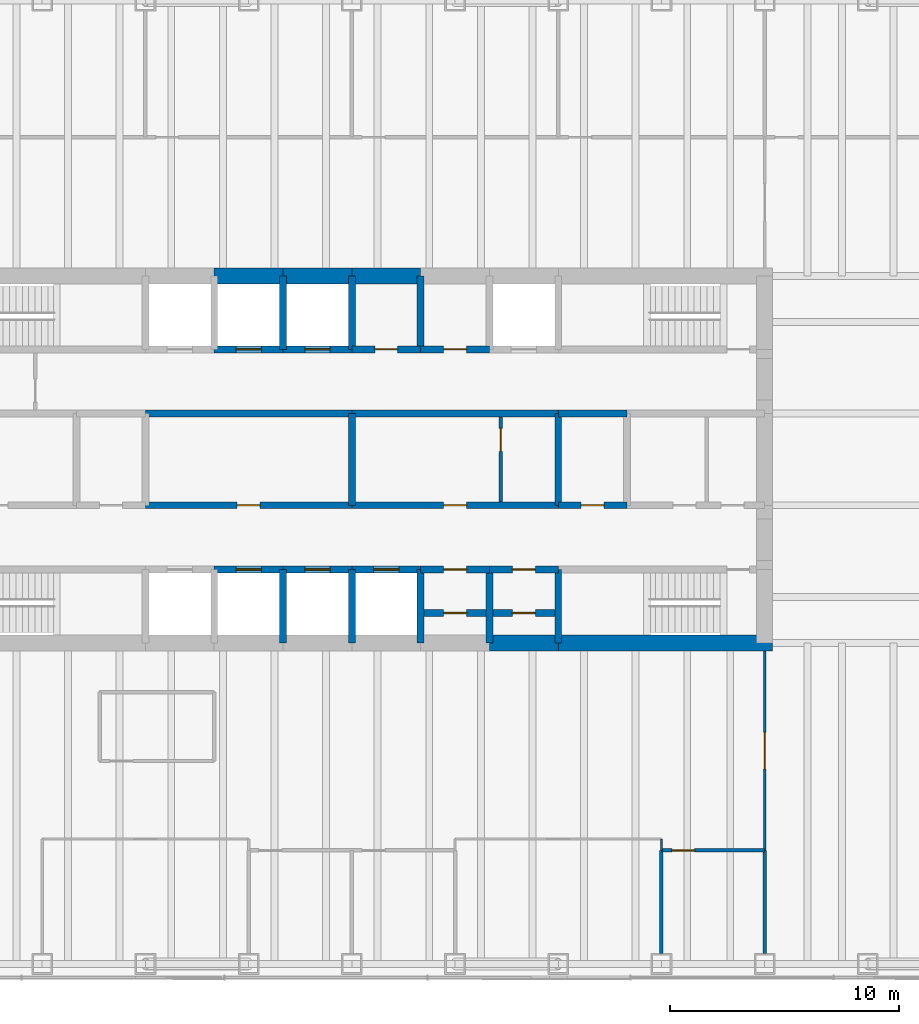
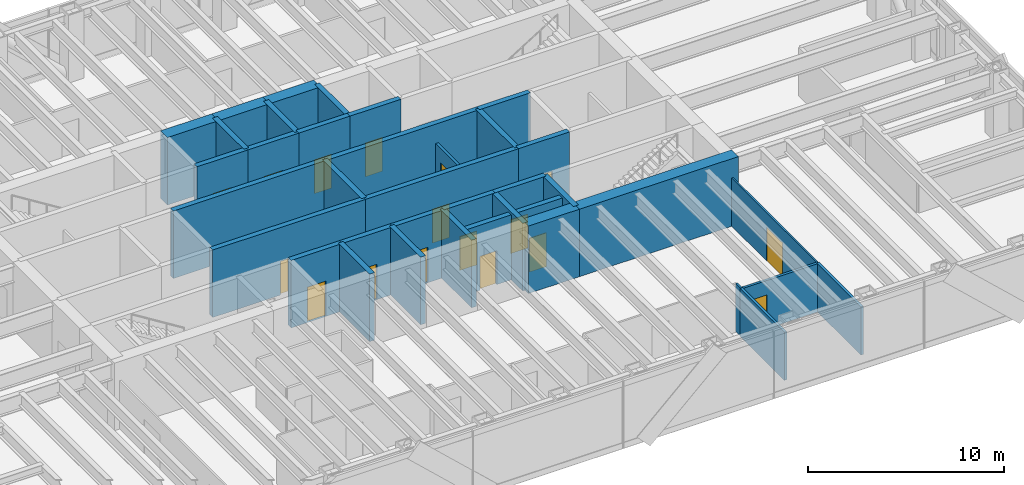
# One storey, part 12 of 15: 38 walls, 17 doors, 17 openings.
"""IFC4 building model written with IfcOpenShell, lengths in metres."""

from ifc_helpers import new_model, si_unit, direction, frame, frame_2d, origin, place, context, subcontext, project, spatial, rectangle, extrude, material, layer, layer_set, type_object, element, fill, save


model = new_model("IFC4")

# Units and contexts
model_context = context("Model", 3, precision=1e-05, world=origin(), true_north=direction((0.0, 1.0)))
body_context = subcontext(model_context, "Body", "Model", "MODEL_VIEW")
ifc_project = project(units=[si_unit("LENGTHUNIT", "METRE"), si_unit("AREAUNIT", "SQUARE_METRE"), si_unit("VOLUMEUNIT", "CUBIC_METRE"), si_unit("PLANEANGLEUNIT", "RADIAN"), si_unit("MASSUNIT", "GRAM", prefix="KILO")], contexts=[model_context])

# Site, building, storey
site_placement = place(None, origin())
site = spatial("IfcSite", under=ifc_project, at=site_placement, CompositionType="ELEMENT")
building_placement = place(site_placement, origin())
building = spatial("IfcBuilding", under=site, at=building_placement, Name="Rheinbord Bourse Tower", CompositionType="ELEMENT")
storey_placement = place(building_placement, frame((0.0, 0.0, 279.5)))
storey = spatial("IfcBuildingStorey", under=building, at=storey_placement, Name="L63", CompositionType="ELEMENT", Elevation=279.5)

# Wall, opening, door
ifc_material_1 = material(Name="Concrete C50/60", Category="concrete")
ifc_layer_1 = layer(ifc_material_1, 0.300048828125)
ifc_layer_set_1 = layer_set([ifc_layer_1], Name="CORE INNER WALL 300")
wall_type_1 = type_object("IfcWallType", Name="CORE INNER WALL 300", PredefinedType="SOLIDWALL", material=ifc_layer_set_1)
wall_1_placement = place(storey_placement, frame((30.0, 19.199951171875, 0.0), z_axis=(0.0, 0.0, 1.0), x_axis=(1.0, 0.0, 0.0)))
wall_1 = element("IfcWall", 1, at=wall_1_placement, inside=storey, type_object=wall_type_1, Name="Core wall A3 L63", PredefinedType="SOLIDWALL", context=body_context, shape_type="SweptSolid", body=[
    extrude(rectangle(XDim=3.0, YDim=0.300048828125, at=frame_2d((1.5, 0.0))), origin(), (0.0, 0.0, 1.0), 4.199951171875),
])
opening_1_placement = place(wall_1_placement, frame((0.949951171875, 0.0, 0.0)))
opening_1 = element("IfcOpeningElement", 2, at=opening_1_placement, cuts=wall_1, Name="Opening PD1", PredefinedType="OPENING", context=body_context, shape_type="SweptSolid", body=[
    extrude(rectangle(XDim=1.10009765625, YDim=2.199951171875, at=frame_2d((0.550048828125, 1.10009765625))), frame((0.0, 0.159912109375, 0.0), z_axis=(0.0, -1.0, 0.0), x_axis=(1.0, 0.0, 0.0)), (0.0, 0.0, 1.0), 0.320068359375),
])
ifc_material_2 = material(Name="Steel landing door", Category="steel")
door_type_1 = type_object("IfcDoorType", Name="LIFT LANDING DOOR 1100", OperationType="DOUBLE_DOOR_SLIDING", PredefinedType="USERDEFINED", material=ifc_material_2)
door_1_placement = place(opening_1_placement, origin())
door_1 = element("IfcDoor", 3, at=door_1_placement, inside=storey, type_object=door_type_1, Name="Lift landing door PD1 L63", ObjectType="LIFT LANDING DOOR", OperationType="DOUBLE_DOOR_SLIDING", OverallHeight=2.199951171875, OverallWidth=1.10009765625, PredefinedType="USERDEFINED", context=body_context, shape_type="SweptSolid", body=[
    extrude(rectangle(XDim=1.10009765625, YDim=2.199951171875, at=frame_2d((0.550048828125, 1.10009765625))), frame((0.0, 0.02490234375, 0.0), z_axis=(0.0, -1.0, 0.0), x_axis=(1.0, 0.0, 0.0)), (0.0, 0.0, 1.0), 0.050048828125),
])
fill(opening_1, door_1)

wall_2_placement = place(storey_placement, frame((33.0, 19.199951171875, 0.0), z_axis=(0.0, 0.0, 1.0), x_axis=(1.0, 0.0, 0.0)))
wall_2 = element("IfcWall", 4, at=wall_2_placement, inside=storey, type_object=wall_type_1, Name="Core wall A4 L63", PredefinedType="SOLIDWALL", context=body_context, shape_type="SweptSolid", body=[
    extrude(rectangle(XDim=3.0, YDim=0.300048828125, at=frame_2d((1.5, 0.0))), origin(), (0.0, 0.0, 1.0), 4.199951171875),
])
opening_2_placement = place(wall_2_placement, frame((0.949951171875, 0.0, 0.0)))
opening_2 = element("IfcOpeningElement", 5, at=opening_2_placement, cuts=wall_2, Name="Opening PD2", PredefinedType="OPENING", context=body_context, shape_type="SweptSolid", body=[
    extrude(rectangle(XDim=1.10009765625, YDim=2.199951171875, at=frame_2d((0.550048828125, 1.10009765625))), frame((0.0, 0.159912109375, 0.0), z_axis=(0.0, -1.0, 0.0), x_axis=(1.0, 0.0, 0.0)), (0.0, 0.0, 1.0), 0.320068359375),
])
door_2_placement = place(opening_2_placement, origin())
door_2 = element("IfcDoor", 6, at=door_2_placement, inside=storey, type_object=door_type_1, Name="Lift landing door PD2 L63", ObjectType="LIFT LANDING DOOR", OperationType="DOUBLE_DOOR_SLIDING", OverallHeight=2.199951171875, OverallWidth=1.10009765625, PredefinedType="USERDEFINED", context=body_context, shape_type="SweptSolid", body=[
    extrude(rectangle(XDim=1.10009765625, YDim=2.199951171875, at=frame_2d((0.550048828125, 1.10009765625))), frame((0.0, 0.02490234375, 0.0), z_axis=(0.0, -1.0, 0.0), x_axis=(1.0, 0.0, 0.0)), (0.0, 0.0, 1.0), 0.050048828125),
])
fill(opening_2, door_2)

wall_3_placement = place(storey_placement, frame((36.0, 19.199951171875, 0.0), z_axis=(0.0, 0.0, 1.0), x_axis=(1.0, 0.0, 0.0)))
wall_3 = element("IfcWall", 7, at=wall_3_placement, inside=storey, type_object=wall_type_1, Name="Core wall A5 L63", PredefinedType="SOLIDWALL", context=body_context, shape_type="SweptSolid", body=[
    extrude(rectangle(XDim=3.0, YDim=0.300048828125, at=frame_2d((1.5, 0.0))), origin(), (0.0, 0.0, 1.0), 4.199951171875),
])
opening_3_placement = place(wall_3_placement, frame((0.949951171875, 0.0, 0.0)))
opening_3 = element("IfcOpeningElement", 8, at=opening_3_placement, cuts=wall_3, Name="Opening PD3", PredefinedType="OPENING", context=body_context, shape_type="SweptSolid", body=[
    extrude(rectangle(XDim=1.10009765625, YDim=2.199951171875, at=frame_2d((0.550048828125, 1.10009765625))), frame((0.0, 0.159912109375, 0.0), z_axis=(0.0, -1.0, 0.0), x_axis=(1.0, 0.0, 0.0)), (0.0, 0.0, 1.0), 0.320068359375),
])
door_3_placement = place(opening_3_placement, origin())
door_3 = element("IfcDoor", 9, at=door_3_placement, inside=storey, type_object=door_type_1, Name="Lift landing door PD3 L63", ObjectType="LIFT LANDING DOOR", OperationType="DOUBLE_DOOR_SLIDING", OverallHeight=2.199951171875, OverallWidth=1.10009765625, PredefinedType="USERDEFINED", context=body_context, shape_type="SweptSolid", body=[
    extrude(rectangle(XDim=1.10009765625, YDim=2.199951171875, at=frame_2d((0.550048828125, 1.10009765625))), frame((0.0, 0.02490234375, 0.0), z_axis=(0.0, -1.0, 0.0), x_axis=(1.0, 0.0, 0.0)), (0.0, 0.0, 1.0), 0.050048828125),
])
fill(opening_3, door_3)

wall_4_placement = place(storey_placement, frame((39.0, 19.199951171875, 0.0), z_axis=(0.0, 0.0, 1.0), x_axis=(1.0, 0.0, 0.0)))
wall_4 = element("IfcWall", 10, at=wall_4_placement, inside=storey, type_object=wall_type_1, Name="Core wall A6 L63", PredefinedType="SOLIDWALL", context=body_context, shape_type="SweptSolid", body=[
    extrude(rectangle(XDim=3.0, YDim=0.300048828125, at=frame_2d((1.5, 0.0))), origin(), (0.0, 0.0, 1.0), 4.199951171875),
])
opening_4_placement = place(wall_4_placement, frame((1.0, 0.0, 0.0)))
opening_4 = element("IfcOpeningElement", 11, at=opening_4_placement, cuts=wall_4, Name="Opening 63R8", PredefinedType="OPENING", context=body_context, shape_type="SweptSolid", body=[
    extrude(rectangle(XDim=1.0, YDim=2.10009765625, at=frame_2d((0.5, 1.050048828125))), frame((0.0, 0.159912109375, 0.0), z_axis=(0.0, -1.0, 0.0), x_axis=(1.0, 0.0, 0.0)), (0.0, 0.0, 1.0), 0.320068359375),
])
ifc_material_3 = material(Name="Steel door", Category="steel")
door_type_2 = type_object("IfcDoorType", Name="DOOR 1000 EI30", OperationType="SINGLE_SWING_LEFT", PredefinedType="DOOR", material=ifc_material_3)
door_4_placement = place(opening_4_placement, origin())
door_4 = element("IfcDoor", 12, at=door_4_placement, inside=storey, type_object=door_type_2, Name="IT room door L63", OperationType="SINGLE_SWING_LEFT", OverallHeight=2.10009765625, OverallWidth=1.0, PredefinedType="DOOR", context=body_context, shape_type="SweptSolid", body=[
    extrude(rectangle(XDim=1.0, YDim=2.10009765625, at=frame_2d((0.5, 1.050048828125))), frame((0.0, 0.02490234375, 0.0), z_axis=(0.0, -1.0, 0.0), x_axis=(1.0, 0.0, 0.0)), (0.0, 0.0, 1.0), 0.050048828125),
])
fill(opening_4, door_4)

wall_5_placement = place(storey_placement, frame((42.0, 19.199951171875, 0.0), z_axis=(0.0, 0.0, 1.0), x_axis=(1.0, 0.0, 0.0)))
wall_5 = element("IfcWall", 13, at=wall_5_placement, inside=storey, type_object=wall_type_1, Name="Core wall A7 L63", PredefinedType="SOLIDWALL", context=body_context, shape_type="SweptSolid", body=[
    extrude(rectangle(XDim=3.0, YDim=0.300048828125, at=frame_2d((1.5, 0.0))), origin(), (0.0, 0.0, 1.0), 4.199951171875),
])
opening_5_placement = place(wall_5_placement, frame((1.0, 0.0, 0.0)))
opening_5 = element("IfcOpeningElement", 14, at=opening_5_placement, cuts=wall_5, Name="Opening 63R9", PredefinedType="OPENING", context=body_context, shape_type="SweptSolid", body=[
    extrude(rectangle(XDim=1.0, YDim=2.10009765625, at=frame_2d((0.5, 1.050048828125))), frame((0.0, 0.159912109375, 0.0), z_axis=(0.0, -1.0, 0.0), x_axis=(1.0, 0.0, 0.0)), (0.0, 0.0, 1.0), 0.320068359375),
])
door_5_placement = place(opening_5_placement, origin())
door_5 = element("IfcDoor", 15, at=door_5_placement, inside=storey, type_object=door_type_2, Name="Store door L63", OperationType="SINGLE_SWING_LEFT", OverallHeight=2.10009765625, OverallWidth=1.0, PredefinedType="DOOR", context=body_context, shape_type="SweptSolid", body=[
    extrude(rectangle(XDim=1.0, YDim=2.10009765625, at=frame_2d((0.5, 1.050048828125))), frame((0.0, 0.02490234375, 0.0), z_axis=(0.0, -1.0, 0.0), x_axis=(1.0, 0.0, 0.0)), (0.0, 0.0, 1.0), 0.050048828125),
])
fill(opening_5, door_5)

wall_6_placement = place(storey_placement, frame((30.0, 28.800048828125, 0.0), z_axis=(0.0, 0.0, 1.0), x_axis=(1.0, 0.0, 0.0)))
wall_6 = element("IfcWall", 16, at=wall_6_placement, inside=storey, type_object=wall_type_1, Name="Core wall B3 L63", PredefinedType="SOLIDWALL", context=body_context, shape_type="SweptSolid", body=[
    extrude(rectangle(XDim=3.0, YDim=0.300048828125, at=frame_2d((1.5, 0.0))), origin(), (0.0, 0.0, 1.0), 4.199951171875),
])
opening_6_placement = place(wall_6_placement, frame((0.949951171875, 0.0, 0.0)))
opening_6 = element("IfcOpeningElement", 17, at=opening_6_placement, cuts=wall_6, Name="Opening PD4", PredefinedType="OPENING", context=body_context, shape_type="SweptSolid", body=[
    extrude(rectangle(XDim=1.10009765625, YDim=2.199951171875, at=frame_2d((0.550048828125, 1.10009765625))), frame((0.0, 0.159912109375, 0.0), z_axis=(0.0, -1.0, 0.0), x_axis=(1.0, 0.0, 0.0)), (0.0, 0.0, 1.0), 0.320068359375),
])
door_6_placement = place(opening_6_placement, origin())
door_6 = element("IfcDoor", 18, at=door_6_placement, inside=storey, type_object=door_type_1, Name="Lift landing door PD4 L63", ObjectType="LIFT LANDING DOOR", OperationType="DOUBLE_DOOR_SLIDING", OverallHeight=2.199951171875, OverallWidth=1.10009765625, PredefinedType="USERDEFINED", context=body_context, shape_type="SweptSolid", body=[
    extrude(rectangle(XDim=1.10009765625, YDim=2.199951171875, at=frame_2d((0.550048828125, 1.10009765625))), frame((0.0, 0.02490234375, 0.0), z_axis=(0.0, -1.0, 0.0), x_axis=(1.0, 0.0, 0.0)), (0.0, 0.0, 1.0), 0.050048828125),
])
fill(opening_6, door_6)

wall_7_placement = place(storey_placement, frame((33.0, 28.800048828125, 0.0), z_axis=(0.0, 0.0, 1.0), x_axis=(1.0, 0.0, 0.0)))
wall_7 = element("IfcWall", 19, at=wall_7_placement, inside=storey, type_object=wall_type_1, Name="Core wall B4 L63", PredefinedType="SOLIDWALL", context=body_context, shape_type="SweptSolid", body=[
    extrude(rectangle(XDim=3.0, YDim=0.300048828125, at=frame_2d((1.5, 0.0))), origin(), (0.0, 0.0, 1.0), 4.199951171875),
])
opening_7_placement = place(wall_7_placement, frame((0.949951171875, 0.0, 0.0)))
opening_7 = element("IfcOpeningElement", 20, at=opening_7_placement, cuts=wall_7, Name="Opening PD5", PredefinedType="OPENING", context=body_context, shape_type="SweptSolid", body=[
    extrude(rectangle(XDim=1.10009765625, YDim=2.199951171875, at=frame_2d((0.550048828125, 1.10009765625))), frame((0.0, 0.159912109375, 0.0), z_axis=(0.0, -1.0, 0.0), x_axis=(1.0, 0.0, 0.0)), (0.0, 0.0, 1.0), 0.320068359375),
])
door_7_placement = place(opening_7_placement, origin())
door_7 = element("IfcDoor", 21, at=door_7_placement, inside=storey, type_object=door_type_1, Name="Lift landing door PD5 L63", ObjectType="LIFT LANDING DOOR", OperationType="DOUBLE_DOOR_SLIDING", OverallHeight=2.199951171875, OverallWidth=1.10009765625, PredefinedType="USERDEFINED", context=body_context, shape_type="SweptSolid", body=[
    extrude(rectangle(XDim=1.10009765625, YDim=2.199951171875, at=frame_2d((0.550048828125, 1.10009765625))), frame((0.0, 0.02490234375, 0.0), z_axis=(0.0, -1.0, 0.0), x_axis=(1.0, 0.0, 0.0)), (0.0, 0.0, 1.0), 0.050048828125),
])
fill(opening_7, door_7)

wall_8_placement = place(storey_placement, frame((36.0, 28.800048828125, 0.0), z_axis=(0.0, 0.0, 1.0), x_axis=(1.0, 0.0, 0.0)))
wall_8 = element("IfcWall", 22, at=wall_8_placement, inside=storey, type_object=wall_type_1, Name="Core wall B5 L63", PredefinedType="SOLIDWALL", context=body_context, shape_type="SweptSolid", body=[
    extrude(rectangle(XDim=3.0, YDim=0.300048828125, at=frame_2d((1.5, 0.0))), origin(), (0.0, 0.0, 1.0), 4.199951171875),
])
opening_8_placement = place(wall_8_placement, frame((1.0, 0.0, 0.0)))
opening_8 = element("IfcOpeningElement", 23, at=opening_8_placement, cuts=wall_8, Name="Opening 63R10", PredefinedType="OPENING", context=body_context, shape_type="SweptSolid", body=[
    extrude(rectangle(XDim=1.0, YDim=2.10009765625, at=frame_2d((0.5, 1.050048828125))), frame((0.0, 0.159912109375, 0.0), z_axis=(0.0, -1.0, 0.0), x_axis=(1.0, 0.0, 0.0)), (0.0, 0.0, 1.0), 0.320068359375),
])
door_8_placement = place(opening_8_placement, origin())
door_8 = element("IfcDoor", 24, at=door_8_placement, inside=storey, type_object=door_type_2, Name="Cleaner's store door L63", OperationType="SINGLE_SWING_LEFT", OverallHeight=2.10009765625, OverallWidth=1.0, PredefinedType="DOOR", context=body_context, shape_type="SweptSolid", body=[
    extrude(rectangle(XDim=1.0, YDim=2.10009765625, at=frame_2d((0.5, 1.050048828125))), frame((0.0, 0.02490234375, 0.0), z_axis=(0.0, -1.0, 0.0), x_axis=(1.0, 0.0, 0.0)), (0.0, 0.0, 1.0), 0.050048828125),
])
fill(opening_8, door_8)

wall_9_placement = place(storey_placement, frame((39.0, 28.800048828125, 0.0), z_axis=(0.0, 0.0, 1.0), x_axis=(1.0, 0.0, 0.0)))
wall_9 = element("IfcWall", 25, at=wall_9_placement, inside=storey, type_object=wall_type_1, Name="Core wall B6 L63", PredefinedType="SOLIDWALL", context=body_context, shape_type="SweptSolid", body=[
    extrude(rectangle(XDim=3.0, YDim=0.300048828125, at=frame_2d((1.5, 0.0))), origin(), (0.0, 0.0, 1.0), 4.199951171875),
])
opening_9_placement = place(wall_9_placement, frame((1.0, 0.0, 0.0)))
opening_9 = element("IfcOpeningElement", 26, at=opening_9_placement, cuts=wall_9, Name="Opening 63R11", PredefinedType="OPENING", context=body_context, shape_type="SweptSolid", body=[
    extrude(rectangle(XDim=1.0, YDim=2.10009765625, at=frame_2d((0.5, 1.050048828125))), frame((0.0, 0.159912109375, 0.0), z_axis=(0.0, -1.0, 0.0), x_axis=(1.0, 0.0, 0.0)), (0.0, 0.0, 1.0), 0.320068359375),
])
door_9_placement = place(opening_9_placement, origin())
door_9 = element("IfcDoor", 27, at=door_9_placement, inside=storey, type_object=door_type_2, Name="Pantry door L63", OperationType="SINGLE_SWING_LEFT", OverallHeight=2.10009765625, OverallWidth=1.0, PredefinedType="DOOR", context=body_context, shape_type="SweptSolid", body=[
    extrude(rectangle(XDim=1.0, YDim=2.10009765625, at=frame_2d((0.5, 1.050048828125))), frame((0.0, 0.02490234375, 0.0), z_axis=(0.0, -1.0, 0.0), x_axis=(1.0, 0.0, 0.0)), (0.0, 0.0, 1.0), 0.050048828125),
])
fill(opening_9, door_9)

wall_10_placement = place(storey_placement, frame((27.0, 22.0, 0.0), z_axis=(0.0, 0.0, 1.0), x_axis=(1.0, 0.0, 0.0)))
wall_10 = element("IfcWall", 28, at=wall_10_placement, inside=storey, type_object=wall_type_1, Name="Core wall C3 L63", PredefinedType="SOLIDWALL", context=body_context, shape_type="SweptSolid", body=[
    extrude(rectangle(XDim=9.0, YDim=0.300048828125, at=frame_2d((4.5, 0.0))), origin(), (0.0, 0.0, 1.0), 4.199951171875),
])
opening_10_placement = place(wall_10_placement, frame((4.0, 0.0, 0.0)))
opening_10 = element("IfcOpeningElement", 29, at=opening_10_placement, cuts=wall_10, Name="Opening 63R3", PredefinedType="OPENING", context=body_context, shape_type="SweptSolid", body=[
    extrude(rectangle(XDim=1.0, YDim=2.10009765625, at=frame_2d((0.5, 1.050048828125))), frame((0.0, 0.159912109375, 0.0), z_axis=(0.0, -1.0, 0.0), x_axis=(1.0, 0.0, 0.0)), (0.0, 0.0, 1.0), 0.320068359375),
])
door_10_placement = place(opening_10_placement, origin())
door_10 = element("IfcDoor", 30, at=door_10_placement, inside=storey, type_object=door_type_2, Name="Riser door L63", OperationType="SINGLE_SWING_LEFT", OverallHeight=2.10009765625, OverallWidth=1.0, PredefinedType="DOOR", context=body_context, shape_type="SweptSolid", body=[
    extrude(rectangle(XDim=1.0, YDim=2.10009765625, at=frame_2d((0.5, 1.050048828125))), frame((0.0, 0.02490234375, 0.0), z_axis=(0.0, -1.0, 0.0), x_axis=(1.0, 0.0, 0.0)), (0.0, 0.0, 1.0), 0.050048828125),
])
fill(opening_10, door_10)

wall_11_placement = place(storey_placement, frame((36.0, 22.0, 0.0), z_axis=(0.0, 0.0, 1.0), x_axis=(1.0, 0.0, 0.0)))
wall_11 = element("IfcWall", 31, at=wall_11_placement, inside=storey, type_object=wall_type_1, Name="Core wall C4 L63", PredefinedType="SOLIDWALL", context=body_context, shape_type="SweptSolid", body=[
    extrude(rectangle(XDim=9.0, YDim=0.300048828125, at=frame_2d((4.5, 0.0))), origin(), (0.0, 0.0, 1.0), 4.199951171875),
])
opening_11_placement = place(wall_11_placement, frame((4.0, 0.0, 0.0)))
opening_11 = element("IfcOpeningElement", 32, at=opening_11_placement, cuts=wall_11, Name="Opening 63R4", PredefinedType="OPENING", context=body_context, shape_type="SweptSolid", body=[
    extrude(rectangle(XDim=1.0, YDim=2.10009765625, at=frame_2d((0.5, 1.050048828125))), frame((0.0, 0.159912109375, 0.0), z_axis=(0.0, -1.0, 0.0), x_axis=(1.0, 0.0, 0.0)), (0.0, 0.0, 1.0), 0.320068359375),
])
door_11_placement = place(opening_11_placement, origin())
door_11 = element("IfcDoor", 33, at=door_11_placement, inside=storey, type_object=door_type_2, Name="Print room door L63", OperationType="SINGLE_SWING_LEFT", OverallHeight=2.10009765625, OverallWidth=1.0, PredefinedType="DOOR", context=body_context, shape_type="SweptSolid", body=[
    extrude(rectangle(XDim=1.0, YDim=2.10009765625, at=frame_2d((0.5, 1.050048828125))), frame((0.0, 0.02490234375, 0.0), z_axis=(0.0, -1.0, 0.0), x_axis=(1.0, 0.0, 0.0)), (0.0, 0.0, 1.0), 0.050048828125),
])
fill(opening_11, door_11)

wall_12_placement = place(storey_placement, frame((45.0, 22.0, 0.0), z_axis=(0.0, 0.0, 1.0), x_axis=(1.0, 0.0, 0.0)))
wall_12 = element("IfcWall", 34, at=wall_12_placement, inside=storey, type_object=wall_type_1, Name="Core wall C5 L63", PredefinedType="SOLIDWALL", context=body_context, shape_type="SweptSolid", body=[
    extrude(rectangle(XDim=3.0, YDim=0.300048828125, at=frame_2d((1.5, 0.0))), origin(), (0.0, 0.0, 1.0), 4.199951171875),
])
opening_12_placement = place(wall_12_placement, frame((1.0, 0.0, 0.0)))
opening_12 = element("IfcOpeningElement", 35, at=opening_12_placement, cuts=wall_12, Name="Opening 63R5", PredefinedType="OPENING", context=body_context, shape_type="SweptSolid", body=[
    extrude(rectangle(XDim=1.0, YDim=2.10009765625, at=frame_2d((0.5, 1.050048828125))), frame((0.0, 0.159912109375, 0.0), z_axis=(0.0, -1.0, 0.0), x_axis=(1.0, 0.0, 0.0)), (0.0, 0.0, 1.0), 0.320068359375),
])
ifc_material_4 = material(Name="Timber door", Category="wood")
door_type_3 = type_object("IfcDoorType", Name="DOOR 1000 WC", OperationType="SINGLE_SWING_LEFT", PredefinedType="DOOR", material=ifc_material_4)
door_12_placement = place(opening_12_placement, origin())
door_12 = element("IfcDoor", 36, at=door_12_placement, inside=storey, type_object=door_type_3, Name="Accessible WC door L63", OperationType="SINGLE_SWING_LEFT", OverallHeight=2.10009765625, OverallWidth=1.0, PredefinedType="DOOR", context=body_context, shape_type="SweptSolid", body=[
    extrude(rectangle(XDim=1.0, YDim=2.10009765625, at=frame_2d((0.5, 1.050048828125))), frame((0.0, 0.02490234375, 0.0), z_axis=(0.0, -1.0, 0.0), x_axis=(1.0, 0.0, 0.0)), (0.0, 0.0, 1.0), 0.050048828125),
])
fill(opening_12, door_12)

# Walls
for number, where, z_axis, x_axis, name in (
    (37, (27.0, 26.0, 0.0), (0.0, 0.0, 1.0), (1.0, 0.0, 0.0), "Core wall D3 L63"),
    (38, (36.0, 26.0, 0.0), (0.0, 0.0, 1.0), (1.0, 0.0, 0.0), "Core wall D4 L63"),
):
    element("IfcWall", number, at=place(storey_placement, frame(where, z_axis=z_axis, x_axis=x_axis)), inside=storey, type_object=wall_type_1, Name=name, PredefinedType="SOLIDWALL", context=body_context, shape_type="SweptSolid", body=[
        extrude(rectangle(XDim=9.0, YDim=0.300048828125, at=frame_2d((4.5, 0.0))), origin(), (0.0, 0.0, 1.0), 4.199951171875),
    ])
wall_13_placement = place(storey_placement, frame((45.0, 26.0, 0.0), z_axis=(0.0, 0.0, 1.0), x_axis=(1.0, 0.0, 0.0)))
element("IfcWall", 39, at=wall_13_placement, inside=storey, type_object=wall_type_1, Name="Core wall D5 L63", PredefinedType="SOLIDWALL", context=body_context, shape_type="SweptSolid", body=[
    extrude(rectangle(XDim=3.0, YDim=0.300048828125, at=frame_2d((1.5, 0.0))), origin(), (0.0, 0.0, 1.0), 4.199951171875),
])
for number, where, z_axis, x_axis, name in (
    (40, (33.0, 16.0, 0.0), (0.0, 0.0, 1.0), (0.0, 1.0, 0.0), "Core wall SX33 L63"),
    (41, (33.0, 28.800048828125, 0.0), (0.0, 0.0, 1.0), (0.0, 1.0, 0.0), "Core wall NX33 L63"),
    (42, (36.0, 16.0, 0.0), (0.0, 0.0, 1.0), (0.0, 1.0, 0.0), "Core wall SX36 L63"),
    (43, (36.0, 28.800048828125, 0.0), (0.0, 0.0, 1.0), (0.0, 1.0, 0.0), "Core wall NX36 L63"),
    (44, (39.0, 16.0, 0.0), (0.0, 0.0, 1.0), (0.0, 1.0, 0.0), "Core wall SX39 L63"),
    (45, (39.0, 28.800048828125, 0.0), (0.0, 0.0, 1.0), (0.0, 1.0, 0.0), "Core wall NX39 L63"),
    (46, (42.0, 16.0, 0.0), (0.0, 0.0, 1.0), (0.0, 1.0, 0.0), "Core wall SX42 L63"),
    (47, (45.0, 16.0, 0.0), (0.0, 0.0, 1.0), (0.0, 1.0, 0.0), "Core wall SX45 L63"),
):
    element("IfcWall", number, at=place(storey_placement, frame(where, z_axis=z_axis, x_axis=x_axis)), inside=storey, type_object=wall_type_1, Name=name, PredefinedType="SOLIDWALL", context=body_context, shape_type="SweptSolid", body=[
        extrude(rectangle(XDim=3.199951171875, YDim=0.300048828125, at=frame_2d((1.60009765625, 0.0))), origin(), (0.0, 0.0, 1.0), 4.199951171875),
    ])
for number, where, z_axis, x_axis, name in (
    (48, (36.0, 22.0, 0.0), (0.0, 0.0, 1.0), (0.0, 1.0, 0.0), "Core wall MX36 L63"),
    (49, (45.0, 22.0, 0.0), (0.0, 0.0, 1.0), (0.0, 1.0, 0.0), "Core wall MX45 L63"),
):
    element("IfcWall", number, at=place(storey_placement, frame(where, z_axis=z_axis, x_axis=x_axis)), inside=storey, type_object=wall_type_1, Name=name, PredefinedType="SOLIDWALL", context=body_context, shape_type="SweptSolid", body=[
        extrude(rectangle(XDim=4.0, YDim=0.300048828125, at=frame_2d((2.0, 0.0))), origin(), (0.0, 0.0, 1.0), 4.199951171875),
    ])

# Wall, opening, door
wall_14_placement = place(storey_placement, frame((39.14990234375, 17.300048828125, 0.0), z_axis=(0.0, 0.0, 1.0), x_axis=(1.0, 0.0, 0.0)))
wall_14 = element("IfcWall", 50, at=wall_14_placement, inside=storey, type_object=wall_type_1, Name="Core riser wall L63-6", PredefinedType="SOLIDWALL", context=body_context, shape_type="SweptSolid", body=[
    extrude(rectangle(XDim=2.7001953125, YDim=0.300048828125, at=frame_2d((1.35009765625, 0.0))), origin(), (0.0, 0.0, 1.0), 4.0400390625),
])
opening_13_placement = place(wall_14_placement, frame((0.85009765625, 0.0, 0.0)))
opening_13 = element("IfcOpeningElement", 51, at=opening_13_placement, cuts=wall_14, Name="Opening 63R12", PredefinedType="OPENING", context=body_context, shape_type="SweptSolid", body=[
    extrude(rectangle(XDim=1.0, YDim=2.10009765625, at=frame_2d((0.5, 1.050048828125))), frame((0.0, 0.159912109375, 0.0), z_axis=(0.0, -1.0, 0.0), x_axis=(1.0, 0.0, 0.0)), (0.0, 0.0, 1.0), 0.320068359375),
])
door_13_placement = place(opening_13_placement, origin())
door_13 = element("IfcDoor", 52, at=door_13_placement, inside=storey, type_object=door_type_2, Name="Comms riser door L63", OperationType="SINGLE_SWING_LEFT", OverallHeight=2.10009765625, OverallWidth=1.0, PredefinedType="DOOR", context=body_context, shape_type="SweptSolid", body=[
    extrude(rectangle(XDim=1.0, YDim=2.10009765625, at=frame_2d((0.5, 1.050048828125))), frame((0.0, 0.02490234375, 0.0), z_axis=(0.0, -1.0, 0.0), x_axis=(1.0, 0.0, 0.0)), (0.0, 0.0, 1.0), 0.050048828125),
])
fill(opening_13, door_13)

wall_15_placement = place(storey_placement, frame((42.14990234375, 17.300048828125, 0.0), z_axis=(0.0, 0.0, 1.0), x_axis=(1.0, 0.0, 0.0)))
wall_15 = element("IfcWall", 53, at=wall_15_placement, inside=storey, type_object=wall_type_1, Name="Core riser wall L63-7", PredefinedType="SOLIDWALL", context=body_context, shape_type="SweptSolid", body=[
    extrude(rectangle(XDim=2.7001953125, YDim=0.300048828125, at=frame_2d((1.35009765625, 0.0))), origin(), (0.0, 0.0, 1.0), 4.0400390625),
])
opening_14_placement = place(wall_15_placement, frame((0.85009765625, 0.0, 0.0)))
opening_14 = element("IfcOpeningElement", 54, at=opening_14_placement, cuts=wall_15, Name="Opening 63R13", PredefinedType="OPENING", context=body_context, shape_type="SweptSolid", body=[
    extrude(rectangle(XDim=1.0, YDim=2.10009765625, at=frame_2d((0.5, 1.050048828125))), frame((0.0, 0.159912109375, 0.0), z_axis=(0.0, -1.0, 0.0), x_axis=(1.0, 0.0, 0.0)), (0.0, 0.0, 1.0), 0.320068359375),
])
door_14_placement = place(opening_14_placement, origin())
door_14 = element("IfcDoor", 55, at=door_14_placement, inside=storey, type_object=door_type_2, Name="Electrical riser door L63", OperationType="SINGLE_SWING_LEFT", OverallHeight=2.10009765625, OverallWidth=1.0, PredefinedType="DOOR", context=body_context, shape_type="SweptSolid", body=[
    extrude(rectangle(XDim=1.0, YDim=2.10009765625, at=frame_2d((0.5, 1.050048828125))), frame((0.0, 0.02490234375, 0.0), z_axis=(0.0, -1.0, 0.0), x_axis=(1.0, 0.0, 0.0)), (0.0, 0.0, 1.0), 0.050048828125),
])
fill(opening_14, door_14)

ifc_material_5 = material(Name="Gypsum board fire partition", Category="gypsum board")
ifc_layer_2 = layer(ifc_material_5, 0.14990234375)
ifc_layer_set_2 = layer_set([ifc_layer_2], Name="CORE PARTITION 150 EI30")
wall_type_2 = type_object("IfcWallType", Name="CORE PARTITION 150 EI30", PredefinedType="PARTITIONING", material=ifc_layer_set_2)
wall_16_placement = place(storey_placement, frame((42.5, 22.14990234375, 0.0), z_axis=(0.0, 0.0, 1.0), x_axis=(0.0, 1.0, 0.0)))
wall_16 = element("IfcWall", 56, at=wall_16_placement, inside=storey, type_object=wall_type_2, Name="Core partition L63-1", PredefinedType="PARTITIONING", context=body_context, shape_type="SweptSolid", body=[
    extrude(rectangle(XDim=3.7001953125, YDim=0.14990234375, at=frame_2d((1.85009765625, 0.0))), origin(), (0.0, 0.0, 1.0), 3.0),
])
opening_15_placement = place(wall_16_placement, frame((2.199951171875, 0.0, 0.0)))
opening_15 = element("IfcOpeningElement", 57, at=opening_15_placement, cuts=wall_16, Name="Opening 63R7", PredefinedType="OPENING", context=body_context, shape_type="SweptSolid", body=[
    extrude(rectangle(XDim=1.0, YDim=2.10009765625, at=frame_2d((0.5, 1.050048828125))), frame((0.0, 0.0849609375, 0.0), z_axis=(0.0, -1.0, 0.0), x_axis=(1.0, 0.0, 0.0)), (0.0, 0.0, 1.0), 0.169921875),
])
door_15_placement = place(opening_15_placement, origin())
door_15 = element("IfcDoor", 58, at=door_15_placement, inside=storey, type_object=door_type_2, Name="Paper store door L63", OperationType="SINGLE_SWING_RIGHT", OverallHeight=2.10009765625, OverallWidth=1.0, PredefinedType="DOOR", context=body_context, shape_type="SweptSolid", body=[
    extrude(rectangle(XDim=1.0, YDim=2.10009765625, at=frame_2d((0.5, 1.050048828125))), frame((0.0, 0.02490234375, 0.0), z_axis=(0.0, -1.0, 0.0), x_axis=(1.0, 0.0, 0.0)), (0.0, 0.0, 1.0), 0.050048828125),
])
fill(opening_15, door_15)

# Walls
ifc_material_6 = material(Name="Concrete C50/60", Category="concrete")
ifc_layer_3 = layer(ifc_material_6, 0.699951171875)
ifc_layer_set_3 = layer_set([ifc_layer_3], Name="CORE WALL 700")
wall_type_3 = type_object("IfcWallType", Name="CORE WALL 700", PredefinedType="SHEAR", material=ifc_layer_set_3)
wall_17_placement = place(storey_placement, frame((42.0, 16.0, 0.0), z_axis=(0.0, 0.0, 1.0), x_axis=(1.0, 0.0, 0.0)))
element("IfcWall", 59, at=wall_17_placement, inside=storey, type_object=wall_type_3, Name="Core wall S7 L63", PredefinedType="SHEAR", context=body_context, shape_type="SweptSolid", body=[
    extrude(rectangle(XDim=3.0, YDim=0.699951171875, at=frame_2d((1.5, 0.0))), origin(), (0.0, 0.0, 1.0), 4.199951171875),
])
wall_18_placement = place(storey_placement, frame((45.0, 16.0, 0.0), z_axis=(0.0, 0.0, 1.0), x_axis=(1.0, 0.0, 0.0)))
element("IfcWall", 60, at=wall_18_placement, inside=storey, type_object=wall_type_3, Name="Core wall S8 L63", PredefinedType="SHEAR", context=body_context, shape_type="SweptSolid", body=[
    extrude(rectangle(XDim=9.35009765625, YDim=0.699951171875, at=frame_2d((4.675048828125, 0.0))), origin(), (0.0, 0.0, 1.0), 4.199951171875),
])
for number, where, z_axis, x_axis, name in (
    (61, (39.0, 32.0, 0.0), (0.0, 0.0, 1.0), (-1.0, 0.0, 0.0), "Core wall N4 L63"),
    (62, (36.0, 32.0, 0.0), (0.0, 0.0, 1.0), (-1.0, 0.0, 0.0), "Core wall N5 L63"),
    (63, (33.0, 32.0, 0.0), (0.0, 0.0, 1.0), (-1.0, 0.0, 0.0), "Core wall N6 L63"),
):
    element("IfcWall", number, at=place(storey_placement, frame(where, z_axis=z_axis, x_axis=x_axis)), inside=storey, type_object=wall_type_3, Name=name, PredefinedType="SHEAR", context=body_context, shape_type="SweptSolid", body=[
        extrude(rectangle(XDim=3.0, YDim=0.699951171875, at=frame_2d((1.5, 0.0))), origin(), (0.0, 0.0, 1.0), 4.199951171875),
    ])
ifc_material_7 = material(Name="Toughened laminated glass partition", Category="glass")
ifc_layer_4 = layer(ifc_material_7, 0.10009765625)
ifc_layer_set_4 = layer_set([ifc_layer_4], Name="GLAZED PARTITION 100")
wall_type_4 = type_object("IfcWallType", Name="GLAZED PARTITION 100", PredefinedType="PARTITIONING", material=ifc_layer_set_4)
wall_19_placement = place(storey_placement, frame((49.5, 6.949951171875, 0.0), z_axis=(0.0, 0.0, 1.0), x_axis=(0.0, 1.0, 0.0)))
element("IfcWall", 64, at=wall_19_placement, inside=storey, type_object=wall_type_4, Name="Partition L63-29", PredefinedType="PARTITIONING", context=body_context, shape_type="SweptSolid", body=[
    extrude(rectangle(XDim=0.5, YDim=0.10009765625, at=frame_2d((0.25, 0.0))), origin(), (0.0, 0.0, 1.0), 3.0),
])

# Wall, opening, door
wall_20_placement = place(storey_placement, frame((54.0, 6.949951171875, 0.0), z_axis=(0.0, 0.0, 1.0), x_axis=(0.0, 1.0, 0.0)))
wall_20 = element("IfcWall", 65, at=wall_20_placement, inside=storey, type_object=wall_type_4, Name="Partition L63-31", PredefinedType="PARTITIONING", context=body_context, shape_type="SweptSolid", body=[
    extrude(rectangle(XDim=8.699951171875, YDim=0.10009765625, at=frame_2d((4.35009765625, 0.0))), origin(), (0.0, 0.0, 1.0), 3.0),
])
opening_16_placement = place(wall_20_placement, frame((3.550048828125, 0.0, 0.0)))
opening_16 = element("IfcOpeningElement", 66, at=opening_16_placement, cuts=wall_20, Name="Opening 63D18", PredefinedType="OPENING", context=body_context, shape_type="SweptSolid", body=[
    extrude(rectangle(XDim=1.60009765625, YDim=2.10009765625, at=frame_2d((0.800048828125, 1.050048828125))), frame((0.0, 0.06005859375, 0.0), z_axis=(0.0, -1.0, 0.0), x_axis=(1.0, 0.0, 0.0)), (0.0, 0.0, 1.0), 0.1201171875),
])
ifc_material_8 = material(Name="Timber door", Category="wood")
door_type_4 = type_object("IfcDoorType", Name="DOUBLE ROOM DOOR 1600", OperationType="DOUBLE_DOOR_DOUBLE_SWING", PredefinedType="DOOR", material=ifc_material_8)
door_16_placement = place(opening_16_placement, origin())
door_16 = element("IfcDoor", 67, at=door_16_placement, inside=storey, type_object=door_type_4, Name="Open area door L63", OperationType="SINGLE_SWING_LEFT", OverallHeight=2.10009765625, OverallWidth=1.60009765625, PredefinedType="DOOR", context=body_context, shape_type="SweptSolid", body=[
    extrude(rectangle(XDim=1.60009765625, YDim=2.10009765625, at=frame_2d((0.800048828125, 1.050048828125))), frame((0.0, 0.02490234375, 0.0), z_axis=(0.0, -1.0, 0.0), x_axis=(1.0, 0.0, 0.0)), (0.0, 0.0, 1.0), 0.050048828125),
])
fill(opening_16, door_16)

ifc_material_9 = material(Name="Gypsum board partition", Category="gypsum board")
ifc_layer_5 = layer(ifc_material_9, 0.14990234375)
ifc_layer_set_5 = layer_set([ifc_layer_5], Name="PARTITION 150")
wall_type_5 = type_object("IfcWallType", Name="PARTITION 150", PredefinedType="PARTITIONING", material=ifc_layer_set_5)
wall_21_placement = place(storey_placement, frame((49.5, 6.949951171875, 0.0), z_axis=(0.0, 0.0, 1.0), x_axis=(1.0, 0.0, 0.0)))
wall_21 = element("IfcWall", 68, at=wall_21_placement, inside=storey, type_object=wall_type_5, Name="Partition L63-02", PredefinedType="PARTITIONING", context=body_context, shape_type="SweptSolid", body=[
    extrude(rectangle(XDim=4.5, YDim=0.14990234375, at=frame_2d((2.25, 0.0))), origin(), (0.0, 0.0, 1.0), 3.0),
])
opening_17_placement = place(wall_21_placement, frame((0.449951171875, 0.0, 0.0)))
opening_17 = element("IfcOpeningElement", 69, at=opening_17_placement, cuts=wall_21, Name="Opening 63D03", PredefinedType="OPENING", context=body_context, shape_type="SweptSolid", body=[
    extrude(rectangle(XDim=1.0, YDim=2.10009765625, at=frame_2d((0.5, 1.050048828125))), frame((0.0, 0.0849609375, 0.0), z_axis=(0.0, -1.0, 0.0), x_axis=(1.0, 0.0, 0.0)), (0.0, 0.0, 1.0), 0.169921875),
])
ifc_material_10 = material(Name="Timber door", Category="wood")
door_type_5 = type_object("IfcDoorType", Name="ROOM DOOR 1000", OperationType="SINGLE_SWING_LEFT", PredefinedType="DOOR", material=ifc_material_10)
door_17_placement = place(opening_17_placement, origin())
door_17 = element("IfcDoor", 70, at=door_17_placement, inside=storey, type_object=door_type_5, Name="Pantry door L63", OperationType="SINGLE_SWING_LEFT", OverallHeight=2.10009765625, OverallWidth=1.0, PredefinedType="DOOR", context=body_context, shape_type="SweptSolid", body=[
    extrude(rectangle(XDim=1.0, YDim=2.10009765625, at=frame_2d((0.5, 1.050048828125))), frame((0.0, 0.02490234375, 0.0), z_axis=(0.0, -1.0, 0.0), x_axis=(1.0, 0.0, 0.0)), (0.0, 0.0, 1.0), 0.050048828125),
])
fill(opening_17, door_17)

# Walls
for number, where, z_axis, x_axis, name in (
    (71, (49.5, 2.449951171875, 0.0), (0.0, 0.0, 1.0), (0.0, 1.0, 0.0), "Partition L63-28"),
    (72, (54.0, 2.449951171875, 0.0), (0.0, 0.0, 1.0), (0.0, 1.0, 0.0), "Partition L63-30"),
):
    element("IfcWall", number, at=place(storey_placement, frame(where, z_axis=z_axis, x_axis=x_axis)), inside=storey, type_object=wall_type_5, Name=name, PredefinedType="PARTITIONING", context=body_context, shape_type="SweptSolid", body=[
        extrude(rectangle(XDim=4.5, YDim=0.14990234375, at=frame_2d((2.25, 0.0))), origin(), (0.0, 0.0, 1.0), 3.0),
    ])

save(model, "model.ifc")
